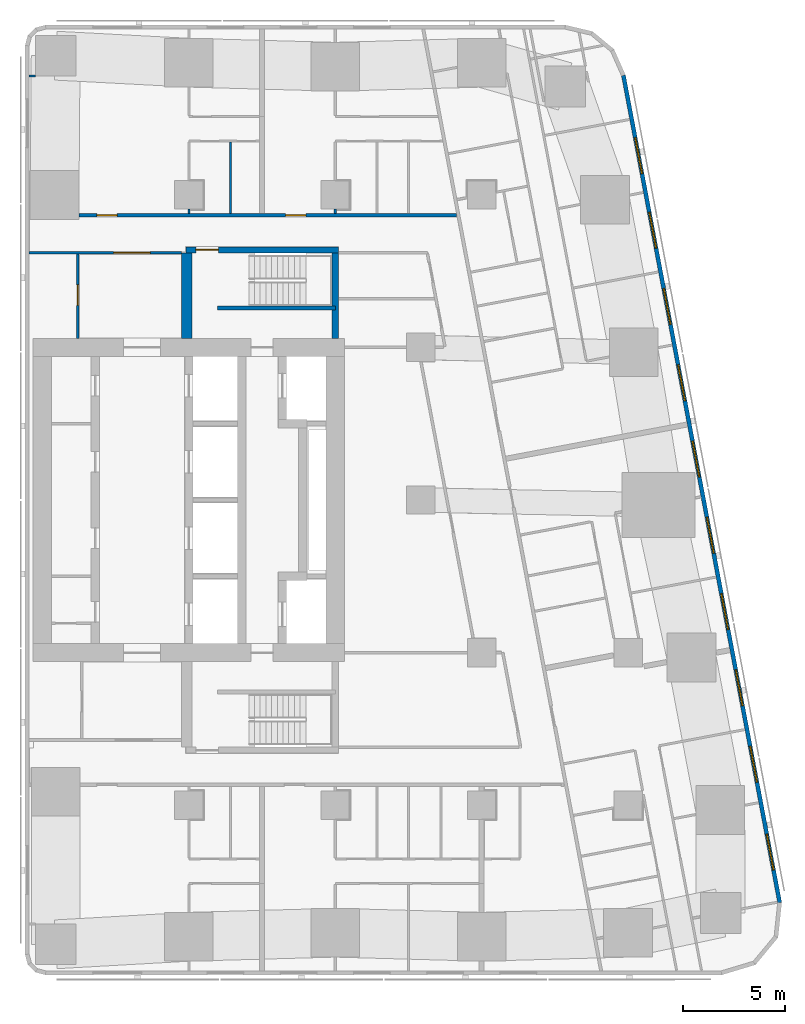
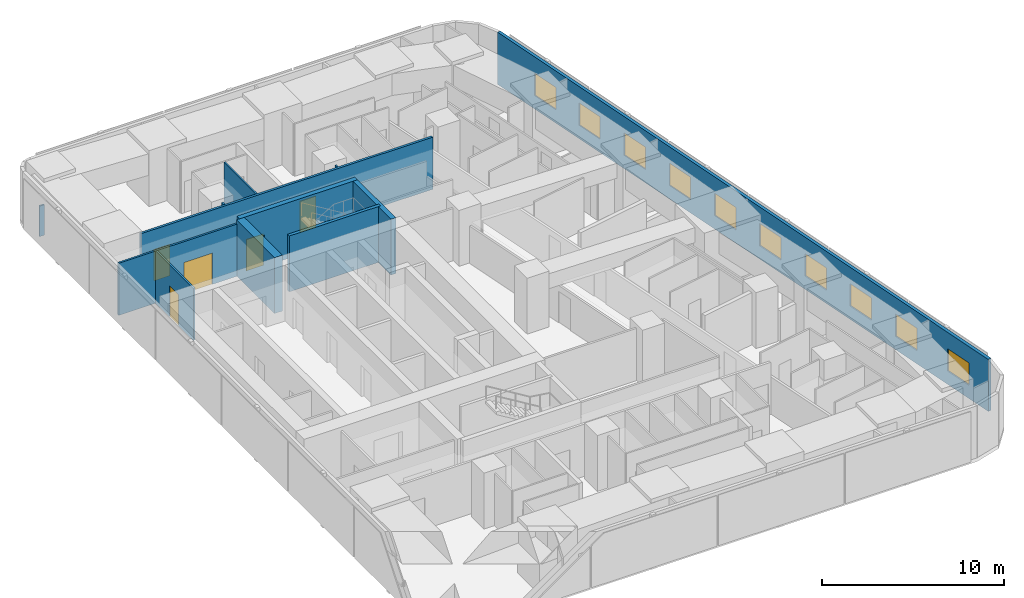
# One storey, part 6 of 10: 12 walls, 10 windows, 5 doors, 15 openings.
"""IFC4 building model written with IfcOpenShell, lengths in metres."""

from ifc_helpers import new_model, si_unit, direction, frame, frame_2d, origin, place, context, subcontext, project, spatial, rectangle, extrude, material, layer, layer_set, type_object, element, fill, save


model = new_model("IFC4")

# Units and contexts
model_context = context("Model", 3, precision=1e-05, world=origin(), true_north=direction((0.0, 1.0)))
body_context = subcontext(model_context, "Body", "Model", "MODEL_VIEW")
ifc_project = project(units=[si_unit("LENGTHUNIT", "METRE"), si_unit("AREAUNIT", "SQUARE_METRE"), si_unit("VOLUMEUNIT", "CUBIC_METRE"), si_unit("PLANEANGLEUNIT", "RADIAN"), si_unit("MASSUNIT", "GRAM", prefix="KILO")], contexts=[model_context])

# Site, building, storey
site_placement = place(None, origin())
site = spatial("IfcSite", under=ifc_project, at=site_placement, CompositionType="ELEMENT")
building_placement = place(site_placement, origin())
building = spatial("IfcBuilding", under=site, at=building_placement, Name="Sheger Commons Tower", CompositionType="ELEMENT")
storey_placement = place(building_placement, frame((0.0, 0.0, 227.449951171875)))
storey = spatial("IfcBuildingStorey", under=building, at=storey_placement, Name="L58", CompositionType="ELEMENT", Elevation=227.449951171875)

# Wall, openings, doors
ifc_material_1 = material(Name="Hollow concrete block masonry, skimmed both sides", Category="masonry")
ifc_layer_1 = layer(ifc_material_1, 0.14990234375)
ifc_layer_set_1 = layer_set([ifc_layer_1], Name="CORRIDOR WALL 150")
wall_type_1 = type_object("IfcWallType", Name="CORRIDOR WALL 150", PredefinedType="SOLIDWALL", material=ifc_layer_set_1)
wall_1_placement = place(storey_placement, frame((16.200927734375, 36.5, 0.0), z_axis=(0.0, 0.0, 1.0), x_axis=(1.0, 0.0, 0.0)))
wall_1 = element("IfcWall", 1, at=wall_1_placement, inside=storey, type_object=wall_type_1, Name="Corridor wall L58", PredefinedType="SOLIDWALL", context=body_context, shape_type="SweptSolid", body=[
    extrude(rectangle(XDim=18.56396484375, YDim=0.14990234375, at=frame_2d((9.281982421875, 0.0))), origin(), (0.0, 0.0, 1.0), 3.5),
])
opening_1_placement = place(wall_1_placement, frame((0.8740234375, 0.0, 0.0)))
opening_1 = element("IfcOpeningElement", 2, at=opening_1_placement, cuts=wall_1, Name="Opening D1", PredefinedType="OPENING", context=body_context, shape_type="SweptSolid", body=[
    extrude(rectangle(XDim=1.0, YDim=2.10009765625, at=frame_2d((0.5, 1.050048828125))), frame((0.0, 0.0849609375, 0.0), z_axis=(0.0, -1.0, 0.0), x_axis=(1.0, 0.0, 0.0)), (0.0, 0.0, 1.0), 0.169921875),
])
opening_2_placement = place(wall_1_placement, frame((10.156005859375, 0.0, 0.0)))
opening_2 = element("IfcOpeningElement", 3, at=opening_2_placement, cuts=wall_1, Name="Opening D1", PredefinedType="OPENING", context=body_context, shape_type="SweptSolid", body=[
    extrude(rectangle(XDim=1.0, YDim=2.10009765625, at=frame_2d((0.5, 1.050048828125))), frame((0.0, 0.0849609375, 0.0), z_axis=(0.0, -1.0, 0.0), x_axis=(1.0, 0.0, 0.0)), (0.0, 0.0, 1.0), 0.169921875),
])
ifc_material_2 = material(Name="Steel door set, fire rated", Category="steel")
door_type_1 = type_object("IfcDoorType", Name="FLAT ENTRANCE DOOR 1000x2100", OperationType="NOTDEFINED", PredefinedType="DOOR", material=ifc_material_2)
door_1_placement = place(opening_1_placement, origin())
door_1 = element("IfcDoor", 4, at=door_1_placement, inside=storey, type_object=door_type_1, Name="Flat entrance door", OperationType="SINGLE_SWING_LEFT", OverallHeight=2.10009765625, OverallWidth=1.0, PredefinedType="DOOR", context=body_context, shape_type="SweptSolid", body=[
    extrude(rectangle(XDim=1.0, YDim=2.10009765625, at=frame_2d((0.5, 1.050048828125))), frame((0.0, 0.02490234375, 0.0), z_axis=(0.0, -1.0, 0.0), x_axis=(1.0, 0.0, 0.0)), (0.0, 0.0, 1.0), 0.050048828125),
])
fill(opening_1, door_1)
door_2_placement = place(opening_2_placement, origin())
door_2 = element("IfcDoor", 5, at=door_2_placement, inside=storey, type_object=door_type_1, Name="Flat entrance door", OperationType="SINGLE_SWING_LEFT", OverallHeight=2.10009765625, OverallWidth=1.0, PredefinedType="DOOR", context=body_context, shape_type="SweptSolid", body=[
    extrude(rectangle(XDim=1.0, YDim=2.10009765625, at=frame_2d((0.5, 1.050048828125))), frame((0.0, 0.02490234375, 0.0), z_axis=(0.0, -1.0, 0.0), x_axis=(1.0, 0.0, 0.0)), (0.0, 0.0, 1.0), 0.050048828125),
])
fill(opening_2, door_2)

# Wall, openings, windows
ifc_material_3 = material(Name="Rendered concrete block masonry, dark grey", Category="masonry")
ifc_layer_2 = layer(ifc_material_3, 0.199951171875)
ifc_layer_set_2 = layer_set([ifc_layer_2], Name="FACADE WALL 200")
wall_type_2 = type_object("IfcWallType", Name="FACADE WALL 200", PredefinedType="SOLIDWALL", material=ifc_layer_set_2)
wall_2_placement = place(storey_placement, frame((50.653076171875, 2.702880859375, 0.0), z_axis=(0.0, 0.0, 1.0), x_axis=(-0.185612026696, 0.982623109613, 0.0)))
wall_2 = element("IfcWall", 6, at=wall_2_placement, inside=storey, type_object=wall_type_2, Name="Facade wall L58", PredefinedType="SOLIDWALL", context=body_context, shape_type="SweptSolid", body=[
    extrude(rectangle(XDim=41.393310546875, YDim=0.199951171875, at=frame_2d((20.69677734375, 0.0))), origin(), (0.0, 0.0, 1.0), 3.5),
])
opening_3_placement = place(wall_2_placement, frame((1.633056640625, 0.0, 0.89990234375)))
opening_3 = element("IfcOpeningElement", 7, at=opening_3_placement, cuts=wall_2, Name="Opening W2", PredefinedType="OPENING", context=body_context, shape_type="SweptSolid", body=[
    extrude(rectangle(XDim=1.800048828125, YDim=1.5, at=frame_2d((0.89990234375, 0.75))), frame((0.0, 0.10986328125, 0.0), z_axis=(0.0, -1.0, 0.0), x_axis=(1.0, 0.0, 0.0)), (0.0, 0.0, 1.0), 0.219970703125),
])
opening_4_placement = place(wall_2_placement, frame((6.031982421875, 0.0, 0.89990234375)))
opening_4 = element("IfcOpeningElement", 8, at=opening_4_placement, cuts=wall_2, Name="Opening W2", PredefinedType="OPENING", context=body_context, shape_type="SweptSolid", body=[
    extrude(rectangle(XDim=1.800048828125, YDim=1.5, at=frame_2d((0.89990234375, 0.75))), frame((0.0, 0.10986328125, 0.0), z_axis=(0.0, -1.0, 0.0), x_axis=(1.0, 0.0, 0.0)), (0.0, 0.0, 1.0), 0.219970703125),
])
opening_5_placement = place(wall_2_placement, frame((9.847900390625, 0.0, 0.89990234375)))
opening_5 = element("IfcOpeningElement", 9, at=opening_5_placement, cuts=wall_2, Name="Opening W2", PredefinedType="OPENING", context=body_context, shape_type="SweptSolid", body=[
    extrude(rectangle(XDim=1.800048828125, YDim=1.5, at=frame_2d((0.89990234375, 0.75))), frame((0.0, 0.10986328125, 0.0), z_axis=(0.0, -1.0, 0.0), x_axis=(1.0, 0.0, 0.0)), (0.0, 0.0, 1.0), 0.219970703125),
])
opening_6_placement = place(wall_2_placement, frame((13.6640625, 0.0, 0.89990234375)))
opening_6 = element("IfcOpeningElement", 10, at=opening_6_placement, cuts=wall_2, Name="Opening W2", PredefinedType="OPENING", context=body_context, shape_type="SweptSolid", body=[
    extrude(rectangle(XDim=1.800048828125, YDim=1.5, at=frame_2d((0.89990234375, 0.75))), frame((0.0, 0.10986328125, 0.0), z_axis=(0.0, -1.0, 0.0), x_axis=(1.0, 0.0, 0.0)), (0.0, 0.0, 1.0), 0.219970703125),
])
opening_7_placement = place(wall_2_placement, frame((17.48095703125, 0.0, 0.89990234375)))
opening_7 = element("IfcOpeningElement", 11, at=opening_7_placement, cuts=wall_2, Name="Opening W2", PredefinedType="OPENING", context=body_context, shape_type="SweptSolid", body=[
    extrude(rectangle(XDim=1.800048828125, YDim=1.5, at=frame_2d((0.89990234375, 0.75))), frame((0.0, 0.10986328125, 0.0), z_axis=(0.0, -1.0, 0.0), x_axis=(1.0, 0.0, 0.0)), (0.0, 0.0, 1.0), 0.219970703125),
])
opening_8_placement = place(wall_2_placement, frame((21.297119140625, 0.0, 0.89990234375)))
opening_8 = element("IfcOpeningElement", 12, at=opening_8_placement, cuts=wall_2, Name="Opening W2", PredefinedType="OPENING", context=body_context, shape_type="SweptSolid", body=[
    extrude(rectangle(XDim=1.800048828125, YDim=1.5, at=frame_2d((0.89990234375, 0.75))), frame((0.0, 0.10986328125, 0.0), z_axis=(0.0, -1.0, 0.0), x_axis=(1.0, 0.0, 0.0)), (0.0, 0.0, 1.0), 0.219970703125),
])
opening_9_placement = place(wall_2_placement, frame((25.113037109375, 0.0, 0.89990234375)))
opening_9 = element("IfcOpeningElement", 13, at=opening_9_placement, cuts=wall_2, Name="Opening W2", PredefinedType="OPENING", context=body_context, shape_type="SweptSolid", body=[
    extrude(rectangle(XDim=1.800048828125, YDim=1.5, at=frame_2d((0.89990234375, 0.75))), frame((0.0, 0.10986328125, 0.0), z_axis=(0.0, -1.0, 0.0), x_axis=(1.0, 0.0, 0.0)), (0.0, 0.0, 1.0), 0.219970703125),
])
opening_10_placement = place(wall_2_placement, frame((28.929931640625, 0.0, 0.89990234375)))
opening_10 = element("IfcOpeningElement", 14, at=opening_10_placement, cuts=wall_2, Name="Opening W2", PredefinedType="OPENING", context=body_context, shape_type="SweptSolid", body=[
    extrude(rectangle(XDim=1.800048828125, YDim=1.5, at=frame_2d((0.89990234375, 0.75))), frame((0.0, 0.10986328125, 0.0), z_axis=(0.0, -1.0, 0.0), x_axis=(1.0, 0.0, 0.0)), (0.0, 0.0, 1.0), 0.219970703125),
])
opening_11_placement = place(wall_2_placement, frame((32.74609375, 0.0, 0.89990234375)))
opening_11 = element("IfcOpeningElement", 15, at=opening_11_placement, cuts=wall_2, Name="Opening W2", PredefinedType="OPENING", context=body_context, shape_type="SweptSolid", body=[
    extrude(rectangle(XDim=1.800048828125, YDim=1.5, at=frame_2d((0.89990234375, 0.75))), frame((0.0, 0.10986328125, 0.0), z_axis=(0.0, -1.0, 0.0), x_axis=(1.0, 0.0, 0.0)), (0.0, 0.0, 1.0), 0.219970703125),
])
opening_12_placement = place(wall_2_placement, frame((36.48095703125, 0.0, 0.89990234375)))
opening_12 = element("IfcOpeningElement", 16, at=opening_12_placement, cuts=wall_2, Name="Opening W2", PredefinedType="OPENING", context=body_context, shape_type="SweptSolid", body=[
    extrude(rectangle(XDim=1.800048828125, YDim=1.5, at=frame_2d((0.89990234375, 0.75))), frame((0.0, 0.10986328125, 0.0), z_axis=(0.0, -1.0, 0.0), x_axis=(1.0, 0.0, 0.0)), (0.0, 0.0, 1.0), 0.219970703125),
])
ifc_material_4 = material(Name="Black aluminium frame, dark tinted double glazing", Category="aluminium")
window_type = type_object("IfcWindowType", Name="WINDOW W2 1800x1500", PartitioningType="SINGLE_PANEL", PredefinedType="WINDOW", material=ifc_material_4)
window_1_placement = place(opening_3_placement, origin())
window_1 = element("IfcWindow", 17, at=window_1_placement, inside=storey, type_object=window_type, Name="Window W2 1800X1500", OverallHeight=1.5, OverallWidth=1.800048828125, PartitioningType="SINGLE_PANEL", PredefinedType="WINDOW", context=body_context, shape_type="SweptSolid", body=[
    extrude(rectangle(XDim=1.800048828125, YDim=1.5, at=frame_2d((0.89990234375, 0.75))), frame((0.0, 0.030029296875, 0.0), z_axis=(0.0, -1.0, 0.0), x_axis=(1.0, 0.0, 0.0)), (0.0, 0.0, 1.0), 0.06005859375),
])
fill(opening_3, window_1)
window_2_placement = place(opening_4_placement, origin())
window_2 = element("IfcWindow", 18, at=window_2_placement, inside=storey, type_object=window_type, Name="Window W2 1800X1500", OverallHeight=1.5, OverallWidth=1.800048828125, PartitioningType="SINGLE_PANEL", PredefinedType="WINDOW", context=body_context, shape_type="SweptSolid", body=[
    extrude(rectangle(XDim=1.800048828125, YDim=1.5, at=frame_2d((0.89990234375, 0.75))), frame((0.0, 0.030029296875, 0.0), z_axis=(0.0, -1.0, 0.0), x_axis=(1.0, 0.0, 0.0)), (0.0, 0.0, 1.0), 0.06005859375),
])
fill(opening_4, window_2)
window_3_placement = place(opening_5_placement, origin())
window_3 = element("IfcWindow", 19, at=window_3_placement, inside=storey, type_object=window_type, Name="Window W2 1800X1500", OverallHeight=1.5, OverallWidth=1.800048828125, PartitioningType="SINGLE_PANEL", PredefinedType="WINDOW", context=body_context, shape_type="SweptSolid", body=[
    extrude(rectangle(XDim=1.800048828125, YDim=1.5, at=frame_2d((0.89990234375, 0.75))), frame((0.0, 0.030029296875, 0.0), z_axis=(0.0, -1.0, 0.0), x_axis=(1.0, 0.0, 0.0)), (0.0, 0.0, 1.0), 0.06005859375),
])
fill(opening_5, window_3)
window_4_placement = place(opening_6_placement, origin())
window_4 = element("IfcWindow", 20, at=window_4_placement, inside=storey, type_object=window_type, Name="Window W2 1800X1500", OverallHeight=1.5, OverallWidth=1.800048828125, PartitioningType="SINGLE_PANEL", PredefinedType="WINDOW", context=body_context, shape_type="SweptSolid", body=[
    extrude(rectangle(XDim=1.800048828125, YDim=1.5, at=frame_2d((0.89990234375, 0.75))), frame((0.0, 0.030029296875, 0.0), z_axis=(0.0, -1.0, 0.0), x_axis=(1.0, 0.0, 0.0)), (0.0, 0.0, 1.0), 0.06005859375),
])
fill(opening_6, window_4)
window_5_placement = place(opening_7_placement, origin())
window_5 = element("IfcWindow", 21, at=window_5_placement, inside=storey, type_object=window_type, Name="Window W2 1800X1500", OverallHeight=1.5, OverallWidth=1.800048828125, PartitioningType="SINGLE_PANEL", PredefinedType="WINDOW", context=body_context, shape_type="SweptSolid", body=[
    extrude(rectangle(XDim=1.800048828125, YDim=1.5, at=frame_2d((0.89990234375, 0.75))), frame((0.0, 0.030029296875, 0.0), z_axis=(0.0, -1.0, 0.0), x_axis=(1.0, 0.0, 0.0)), (0.0, 0.0, 1.0), 0.06005859375),
])
fill(opening_7, window_5)
window_6_placement = place(opening_8_placement, origin())
window_6 = element("IfcWindow", 22, at=window_6_placement, inside=storey, type_object=window_type, Name="Window W2 1800X1500", OverallHeight=1.5, OverallWidth=1.800048828125, PartitioningType="SINGLE_PANEL", PredefinedType="WINDOW", context=body_context, shape_type="SweptSolid", body=[
    extrude(rectangle(XDim=1.800048828125, YDim=1.5, at=frame_2d((0.89990234375, 0.75))), frame((0.0, 0.030029296875, 0.0), z_axis=(0.0, -1.0, 0.0), x_axis=(1.0, 0.0, 0.0)), (0.0, 0.0, 1.0), 0.06005859375),
])
fill(opening_8, window_6)
window_7_placement = place(opening_9_placement, origin())
window_7 = element("IfcWindow", 23, at=window_7_placement, inside=storey, type_object=window_type, Name="Window W2 1800X1500", OverallHeight=1.5, OverallWidth=1.800048828125, PartitioningType="SINGLE_PANEL", PredefinedType="WINDOW", context=body_context, shape_type="SweptSolid", body=[
    extrude(rectangle(XDim=1.800048828125, YDim=1.5, at=frame_2d((0.89990234375, 0.75))), frame((0.0, 0.030029296875, 0.0), z_axis=(0.0, -1.0, 0.0), x_axis=(1.0, 0.0, 0.0)), (0.0, 0.0, 1.0), 0.06005859375),
])
fill(opening_9, window_7)
window_8_placement = place(opening_10_placement, origin())
window_8 = element("IfcWindow", 24, at=window_8_placement, inside=storey, type_object=window_type, Name="Window W2 1800X1500", OverallHeight=1.5, OverallWidth=1.800048828125, PartitioningType="SINGLE_PANEL", PredefinedType="WINDOW", context=body_context, shape_type="SweptSolid", body=[
    extrude(rectangle(XDim=1.800048828125, YDim=1.5, at=frame_2d((0.89990234375, 0.75))), frame((0.0, 0.030029296875, 0.0), z_axis=(0.0, -1.0, 0.0), x_axis=(1.0, 0.0, 0.0)), (0.0, 0.0, 1.0), 0.06005859375),
])
fill(opening_10, window_8)
window_9_placement = place(opening_11_placement, origin())
window_9 = element("IfcWindow", 25, at=window_9_placement, inside=storey, type_object=window_type, Name="Window W2 1800X1500", OverallHeight=1.5, OverallWidth=1.800048828125, PartitioningType="SINGLE_PANEL", PredefinedType="WINDOW", context=body_context, shape_type="SweptSolid", body=[
    extrude(rectangle(XDim=1.800048828125, YDim=1.5, at=frame_2d((0.89990234375, 0.75))), frame((0.0, 0.030029296875, 0.0), z_axis=(0.0, -1.0, 0.0), x_axis=(1.0, 0.0, 0.0)), (0.0, 0.0, 1.0), 0.06005859375),
])
fill(opening_11, window_9)
window_10_placement = place(opening_12_placement, origin())
window_10 = element("IfcWindow", 26, at=window_10_placement, inside=storey, type_object=window_type, Name="Window W2 1800X1500", OverallHeight=1.5, OverallWidth=1.800048828125, PartitioningType="SINGLE_PANEL", PredefinedType="WINDOW", context=body_context, shape_type="SweptSolid", body=[
    extrude(rectangle(XDim=1.800048828125, YDim=1.5, at=frame_2d((0.89990234375, 0.75))), frame((0.0, 0.030029296875, 0.0), z_axis=(0.0, -1.0, 0.0), x_axis=(1.0, 0.0, 0.0)), (0.0, 0.0, 1.0), 0.06005859375),
])
fill(opening_12, window_10)

# Walls
ifc_material_5 = material(Name="Gypsum board on steel studs", Category="steel")
ifc_layer_3 = layer(ifc_material_5, 0.10009765625)
ifc_layer_set_3 = layer_set([ifc_layer_3], Name="PARTITION 100")
wall_type_3 = type_object("IfcWallType", Name="PARTITION 100", PredefinedType="PARTITIONING", material=ifc_layer_set_3)
wall_3_placement = place(storey_placement, frame((14.053955078125, 43.345947265625, 0.0), z_axis=(0.0, 0.0, 1.0), x_axis=(-1.0, 0.0, 0.0)))
element("IfcWall", 27, at=wall_3_placement, inside=storey, type_object=wall_type_3, Name="Partition L58", PredefinedType="PARTITIONING", context=body_context, shape_type="SweptSolid", body=[
    extrude(rectangle(XDim=0.303955078125, YDim=0.10009765625, at=frame_2d((0.15185546875, 0.0))), origin(), (0.0, 0.0, 1.0), 2.050048828125),
])
wall_4_placement = place(storey_placement, frame((21.60009765625, 36.574951171875, 0.0), z_axis=(0.0, 0.0, 1.0), x_axis=(0.0, 1.0, 0.0)))
element("IfcWall", 28, at=wall_4_placement, inside=storey, type_object=wall_type_3, Name="Partition L58", PredefinedType="PARTITIONING", context=body_context, shape_type="SweptSolid", body=[
    extrude(rectangle(XDim=0.22412109375, YDim=0.10009765625, at=frame_2d((0.112060546875, 0.0))), origin(), (0.0, 0.0, 1.0), 3.5),
])
wall_5_placement = place(storey_placement, frame((23.64990234375, 36.574951171875, 0.0), z_axis=(0.0, 0.0, 1.0), x_axis=(0.0, 1.0, 0.0)))
element("IfcWall", 29, at=wall_5_placement, inside=storey, type_object=wall_type_3, Name="Partition L58", PredefinedType="PARTITIONING", context=body_context, shape_type="SweptSolid", body=[
    extrude(rectangle(XDim=3.525146484375, YDim=0.10009765625, at=frame_2d((1.7626953125, 0.0))), origin(), (0.0, 0.0, 1.0), 3.5),
])
wall_6_placement = place(storey_placement, frame((28.800048828125, 36.574951171875, 0.0), z_axis=(0.0, 0.0, 1.0), x_axis=(0.0, 1.0, 0.0)))
element("IfcWall", 30, at=wall_6_placement, inside=storey, type_object=wall_type_3, Name="Partition L58", PredefinedType="PARTITIONING", context=body_context, shape_type="SweptSolid", body=[
    extrude(rectangle(XDim=0.22412109375, YDim=0.10009765625, at=frame_2d((0.112060546875, 0.0))), origin(), (0.0, 0.0, 1.0), 3.5),
])

# Wall, opening, door
ifc_material_6 = material(Name="Gypsum board on steel studs, two layers each side, fire rated", Category="steel")
ifc_layer_4 = layer(ifc_material_6, 0.125)
ifc_layer_set_4 = layer_set([ifc_layer_4], Name="SERVICE WALL 125")
wall_type_4 = type_object("IfcWallType", Name="SERVICE WALL 125", PredefinedType="PARTITIONING", material=ifc_layer_set_4)
wall_7_placement = place(storey_placement, frame((13.75, 34.64990234375, 0.0), z_axis=(0.0, 0.0, 1.0), x_axis=(1.0, 0.0, 0.0)))
wall_7 = element("IfcWall", 31, at=wall_7_placement, inside=storey, type_object=wall_type_4, Name="Service room wall L58", PredefinedType="PARTITIONING", context=body_context, shape_type="SweptSolid", body=[
    extrude(rectangle(XDim=7.5, YDim=0.125, at=frame_2d((3.75, 0.0))), origin(), (0.0, 0.0, 1.0), 3.5),
])
opening_13_placement = place(wall_7_placement, frame((4.14990234375, 0.0, 0.0)))
opening_13 = element("IfcOpeningElement", 32, at=opening_13_placement, cuts=wall_7, Name="Opening D6", PredefinedType="OPENING", context=body_context, shape_type="SweptSolid", body=[
    extrude(rectangle(XDim=1.800048828125, YDim=2.10009765625, at=frame_2d((0.89990234375, 1.050048828125))), frame((0.0, 0.072509765625, 0.0), z_axis=(0.0, -1.0, 0.0), x_axis=(1.0, 0.0, 0.0)), (0.0, 0.0, 1.0), 0.14501953125),
])
ifc_material_7 = material(Name="Steel door set, fire rated", Category="steel")
door_type_2 = type_object("IfcDoorType", Name="LOBBY DOUBLE DOOR 1800x2100", OperationType="DOUBLE_DOOR_SINGLE_SWING", PredefinedType="DOOR", material=ifc_material_7)
door_3_placement = place(opening_13_placement, origin())
door_3 = element("IfcDoor", 33, at=door_3_placement, inside=storey, type_object=door_type_2, Name="Lift lobby north door", OperationType="DOUBLE_DOOR_SINGLE_SWING", OverallHeight=2.10009765625, OverallWidth=1.800048828125, PredefinedType="DOOR", context=body_context, shape_type="SweptSolid", body=[
    extrude(rectangle(XDim=1.800048828125, YDim=2.10009765625, at=frame_2d((0.89990234375, 1.050048828125))), frame((0.0, 0.02490234375, 0.0), z_axis=(0.0, -1.0, 0.0), x_axis=(1.0, 0.0, 0.0)), (0.0, 0.0, 1.0), 0.050048828125),
])
fill(opening_13, door_3)

wall_8_placement = place(storey_placement, frame((16.14990234375, 30.449951171875, 0.0), z_axis=(0.0, 0.0, 1.0), x_axis=(0.0, 1.0, 0.0)))
wall_8 = element("IfcWall", 34, at=wall_8_placement, inside=storey, type_object=wall_type_4, Name="Service room wall L58", PredefinedType="PARTITIONING", context=body_context, shape_type="SweptSolid", body=[
    extrude(rectangle(XDim=4.136962890625, YDim=0.125, at=frame_2d((2.068359375, 0.0))), origin(), (0.0, 0.0, 1.0), 3.5),
])
opening_14_placement = place(wall_8_placement, frame((1.625, 0.0, 0.0)))
opening_14 = element("IfcOpeningElement", 35, at=opening_14_placement, cuts=wall_8, Name="Opening D4", PredefinedType="OPENING", context=body_context, shape_type="SweptSolid", body=[
    extrude(rectangle(XDim=1.0, YDim=2.10009765625, at=frame_2d((0.5, 1.050048828125))), frame((0.0, 0.072509765625, 0.0), z_axis=(0.0, -1.0, 0.0), x_axis=(1.0, 0.0, 0.0)), (0.0, 0.0, 1.0), 0.14501953125),
])
ifc_material_8 = material(Name="Steel door set, fire rated", Category="steel")
door_type_3 = type_object("IfcDoorType", Name="SERVICE DOOR 1000x2100", OperationType="NOTDEFINED", PredefinedType="DOOR", material=ifc_material_8)
door_4_placement = place(opening_14_placement, origin())
door_4 = element("IfcDoor", 36, at=door_4_placement, inside=storey, type_object=door_type_3, Name="Telecom room door", OperationType="SINGLE_SWING_RIGHT", OverallHeight=2.10009765625, OverallWidth=1.0, PredefinedType="DOOR", context=body_context, shape_type="SweptSolid", body=[
    extrude(rectangle(XDim=1.0, YDim=2.10009765625, at=frame_2d((0.5, 1.050048828125))), frame((0.0, 0.02490234375, 0.0), z_axis=(0.0, -1.0, 0.0), x_axis=(1.0, 0.0, 0.0)), (0.0, 0.0, 1.0), 0.050048828125),
])
fill(opening_14, door_4)

ifc_material_9 = material(Name="Concrete C50/60", Category="concrete")
ifc_layer_5 = layer(ifc_material_9, 0.300048828125)
ifc_layer_set_5 = layer_set([ifc_layer_5], Name="STAIR CORE WALL 300")
wall_type_5 = type_object("IfcWallType", Name="STAIR CORE WALL 300", PredefinedType="SHEAR", material=ifc_layer_set_5)
wall_9_placement = place(storey_placement, frame((21.449951171875, 34.800048828125, 0.0), z_axis=(0.0, 0.0, 1.0), x_axis=(1.0, 0.0, 0.0)))
wall_9 = element("IfcWall", 37, at=wall_9_placement, inside=storey, type_object=wall_type_5, Name="STW-L58-S2N", PredefinedType="SHEAR", context=body_context, shape_type="SweptSolid", body=[
    extrude(rectangle(XDim=7.5, YDim=0.300048828125, at=frame_2d((3.75, 0.0))), origin(), (0.0, 0.0, 1.0), 3.75),
])
opening_15_placement = place(wall_9_placement, frame((0.5, 0.0, 0.0)))
opening_15 = element("IfcOpeningElement", 38, at=opening_15_placement, cuts=wall_9, Name="Opening D5", PredefinedType="OPENING", context=body_context, shape_type="SweptSolid", body=[
    extrude(rectangle(XDim=1.10009765625, YDim=2.10009765625, at=frame_2d((0.550048828125, 1.050048828125))), frame((0.0, 0.159912109375, 0.0), z_axis=(0.0, -1.0, 0.0), x_axis=(1.0, 0.0, 0.0)), (0.0, 0.0, 1.0), 0.320068359375),
])
ifc_material_10 = material(Name="Steel door set, fire rated", Category="steel")
door_type_4 = type_object("IfcDoorType", Name="STAIR DOOR 1100x2100", OperationType="NOTDEFINED", PredefinedType="DOOR", material=ifc_material_10)
door_5_placement = place(opening_15_placement, origin())
door_5 = element("IfcDoor", 39, at=door_5_placement, inside=storey, type_object=door_type_4, Name="Stair S2 door", OperationType="SINGLE_SWING_RIGHT", OverallHeight=2.10009765625, OverallWidth=1.10009765625, PredefinedType="DOOR", context=body_context, shape_type="SweptSolid", body=[
    extrude(rectangle(XDim=1.10009765625, YDim=2.10009765625, at=frame_2d((0.550048828125, 1.050048828125))), frame((0.0, 0.02490234375, 0.0), z_axis=(0.0, -1.0, 0.0), x_axis=(1.0, 0.0, 0.0)), (0.0, 0.0, 1.0), 0.050048828125),
])
fill(opening_15, door_5)

# Walls
wall_10_placement = place(storey_placement, frame((28.800048828125, 30.449951171875, 0.0), z_axis=(0.0, 0.0, 1.0), x_axis=(0.0, 1.0, 0.0)))
element("IfcWall", 40, at=wall_10_placement, inside=storey, type_object=wall_type_5, Name="STW-L58-S2E", PredefinedType="SHEAR", context=body_context, shape_type="SweptSolid", body=[
    extrude(rectangle(XDim=4.199951171875, YDim=0.300048828125, at=frame_2d((2.10009765625, 0.0))), origin(), (0.0, 0.0, 1.0), 3.75),
])
ifc_material_11 = material(Name="Concrete C50/60", Category="concrete")
ifc_layer_6 = layer(ifc_material_11, 0.5)
ifc_layer_set_6 = layer_set([ifc_layer_6], Name="STAIR CORE WALL 500")
wall_type_6 = type_object("IfcWallType", Name="STAIR CORE WALL 500", PredefinedType="SHEAR", material=ifc_layer_set_6)
wall_11_placement = place(storey_placement, frame((21.5, 30.449951171875, 0.0), z_axis=(0.0, 0.0, 1.0), x_axis=(0.0, 1.0, 0.0)))
element("IfcWall", 41, at=wall_11_placement, inside=storey, type_object=wall_type_6, Name="STW-L58-S2W", PredefinedType="SHEAR", context=body_context, shape_type="SweptSolid", body=[
    extrude(rectangle(XDim=4.199951171875, YDim=0.5, at=frame_2d((2.10009765625, 0.0))), origin(), (0.0, 0.0, 1.0), 3.75),
])
ifc_material_12 = material(Name="Concrete C50/60", Category="concrete")
ifc_layer_7 = layer(ifc_material_12, 0.199951171875)
ifc_layer_set_7 = layer_set([ifc_layer_7], Name="STAIR SPINE WALL 200")
wall_type_7 = type_object("IfcWallType", Name="STAIR SPINE WALL 200", PredefinedType="SHEAR", material=ifc_layer_set_7)
wall_12_placement = place(storey_placement, frame((23.0, 31.949951171875, 0.0), z_axis=(0.0, 0.0, 1.0), x_axis=(1.0, 0.0, 0.0)))
element("IfcWall", 42, at=wall_12_placement, inside=storey, type_object=wall_type_7, Name="Stair spine wall L58", PredefinedType="SHEAR", context=body_context, shape_type="SweptSolid", body=[
    extrude(rectangle(XDim=5.800048828125, YDim=0.199951171875, at=frame_2d((2.89990234375, 0.0))), origin(), (0.0, 0.0, 1.0), 3.75),
])

save(model, "model.ifc")
